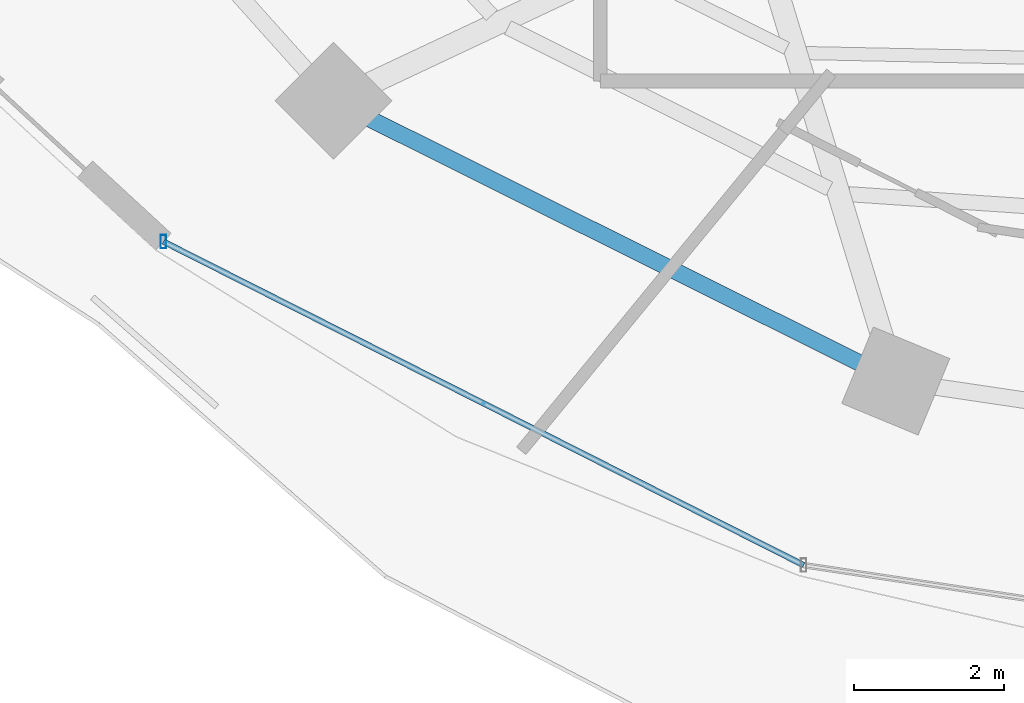
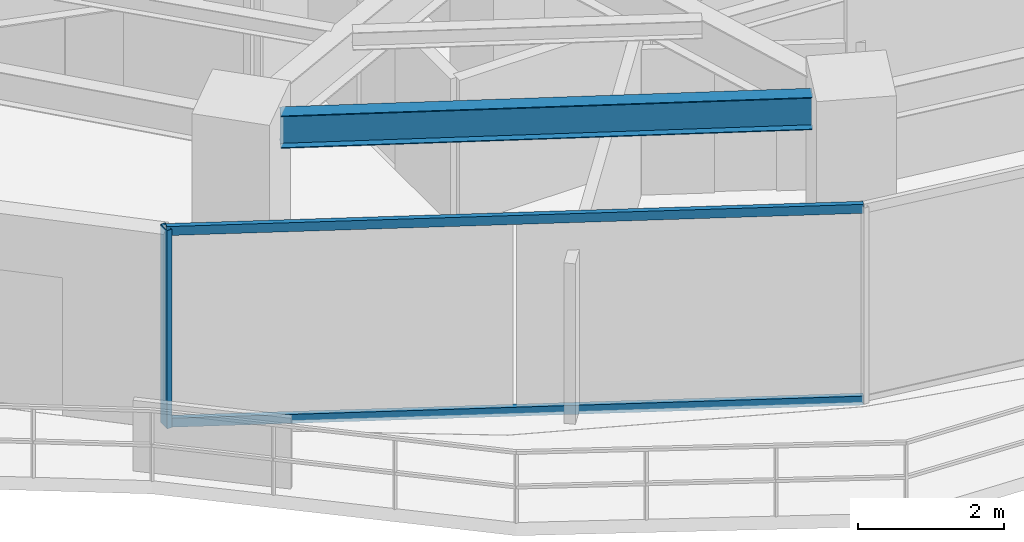
# One storey, part 2 of 29: 3 members, 1 beam, 1 element without a shape of its own.
"""IFC4 building model written with IfcOpenShell, lengths in metres."""

import ifcopenshell
import ifcopenshell.guid

model = None  # the IFC model being written
_history = None  # IfcOwnerHistory: only IFC2X3 demands one
_inside = {}  # id of a spatial element -> (the spatial element, [elements in it])
_under = {}  # id of a project, library or spatial element -> (it, [spatial elements below it])
_declared = {}  # id of a project -> (the project, [libraries it declares])
_typed = {}  # id of a type object -> (the type object, [elements of that type])
_made_of = {}  # id of a material, layer set ... -> (it, [elements and type objects made of it])


def new_model(schema):
    """Start an empty IFC model of exactly this schema.

    Asked for "IFC4X3", IfcOpenShell would pick the latest addendum, in which some entities
    have other attributes; the version numbers below select the first issue.
    IFC2X3 requires an IfcOwnerHistory on every rooted entity: one is made here for all.
    """
    global model, _history
    if schema == "IFC4X3":
        model = ifcopenshell.file(schema_version=(4, 3, 0, 0))
    else:
        model = ifcopenshell.file(schema=schema)
    _inside.clear()
    _under.clear()
    _declared.clear()
    _typed.clear()
    _made_of.clear()
    _history = None
    if model.schema == "IFC2X3":
        org = make("IfcOrganization", Name="unknown")
        user = make(
            "IfcPersonAndOrganization",
            ThePerson=make("IfcPerson", FamilyName="unknown"),
            TheOrganization=org,
        )
        app = make(
            "IfcApplication",
            ApplicationDeveloper=org,
            Version="unknown",
            ApplicationFullName="unknown",
            ApplicationIdentifier="unknown",
        )
        _history = make(
            "IfcOwnerHistory",
            OwningUser=user,
            OwningApplication=app,
            ChangeAction="ADDED",
            CreationDate=0,
        )
    return model


def make(cls, **values):
    """One entity of the class cls with the attributes given. An attribute that is None is left unset."""
    return model.create_entity(
        cls, **{name: value for name, value in values.items() if value is not None}
    )


def rooted(cls, **values):
    """An entity with a GlobalId (a new one), such as an element, a storey or a relation."""
    return make(cls, GlobalId=ifcopenshell.guid.new(), OwnerHistory=_history, **values)


def si_unit(unit_type, name, prefix=None):
    """IfcSIUnit, for example si_unit("LENGTHUNIT", "METRE", prefix="MILLI")."""
    return make("IfcSIUnit", UnitType=unit_type, Prefix=prefix, Name=name)


def assignment(units):
    """IfcUnitAssignment: the units of a project."""
    return None if units is None else make("IfcUnitAssignment", Units=units)


def point(xyz):
    """IfcCartesianPoint."""
    return None if xyz is None else make("IfcCartesianPoint", Coordinates=xyz)


def direction(xyz):
    """IfcDirection."""
    return None if xyz is None else make("IfcDirection", DirectionRatios=xyz)


def frame(location, z_axis=None, x_axis=None):
    """IfcAxis2Placement3D, a coordinate frame: its origin and axes. An axis left out is left unset."""
    return make(
        "IfcAxis2Placement3D",
        Location=point(location),
        Axis=direction(z_axis),
        RefDirection=direction(x_axis),
    )


def frame_2d(location, x_axis=None):
    """IfcAxis2Placement2D, a coordinate frame in the plane: its origin and x axis."""
    return make(
        "IfcAxis2Placement2D", Location=point(location), RefDirection=direction(x_axis)
    )


def origin():
    """The frame at (0, 0, 0) with its axes left unset."""
    return frame((0.0, 0.0, 0.0))


def origin_2d():
    """The frame at (0, 0) in the plane with its x axis left unset."""
    return frame_2d((0.0, 0.0))


def place(relative_to, where):
    """IfcLocalPlacement: puts the frame where relative to a parent placement (None: the world)."""
    return make(
        "IfcLocalPlacement", PlacementRelTo=relative_to, RelativePlacement=where
    )


def context(
    kind, dimensions, precision=None, world=None, true_north=None, identifier=None
):
    """IfcGeometricRepresentationContext, for example the 3D "Model" context."""
    return make(
        "IfcGeometricRepresentationContext",
        ContextIdentifier=identifier,
        ContextType=kind,
        CoordinateSpaceDimension=dimensions,
        Precision=precision,
        WorldCoordinateSystem=world,
        TrueNorth=true_north,
    )


def subcontext(parent, identifier, kind, view, scale=None):
    """IfcGeometricRepresentationSubContext, for example "Body" below "Model"."""
    return make(
        "IfcGeometricRepresentationSubContext",
        ContextIdentifier=identifier,
        ContextType=kind,
        ParentContext=parent,
        TargetScale=scale,
        TargetView=view,
    )


def project(units=None, contexts=None):
    """IfcProject with its units and contexts."""
    return rooted(
        "IfcProject",
        Name="project",
        RepresentationContexts=contexts,
        UnitsInContext=assignment(units),
    )


def spatial(cls, under=None, at=None, **own):
    """A site, building, storey or space (cls), placed at a placement, below another one or the project."""
    s = rooted(cls, ObjectPlacement=at, **own)
    if under is not None:
        _under.setdefault(under.id(), (under, []))[1].append(s)
    return s


def profile(cls, at=None, kind="AREA", **sizes):
    """A parametric profile (cls). Its sizes go by their IFC names, for example OverallWidth=200.0."""
    return make(cls, ProfileType=kind, Position=at, **sizes)


def hollow_rectangle(**sizes):
    """IfcRectangleHollowProfileDef."""
    return profile("IfcRectangleHollowProfileDef", **sizes)


def i_section(**sizes):
    """IfcIShapeProfileDef."""
    return profile("IfcIShapeProfileDef", **sizes)


def extrude(swept, where, along, depth):
    """IfcExtrudedAreaSolid: the profile swept, set in the frame where, extruded along a direction by depth."""
    return make(
        "IfcExtrudedAreaSolid",
        SweptArea=swept,
        Position=where,
        ExtrudedDirection=direction(along),
        Depth=depth,
    )


def shape(context_of_items, identifier, shape_type, items):
    """IfcShapeRepresentation: the items that make up one representation, for example the "Body"."""
    return make(
        "IfcShapeRepresentation",
        ContextOfItems=context_of_items,
        RepresentationIdentifier=identifier,
        RepresentationType=shape_type,
        Items=items,
    )


def material(Name=None, Category=None):
    """IfcMaterial."""
    return make("IfcMaterial", Name=Name, Category=Category)


def material_profile(
    of_material, cross_section, Name=None, Category=None, Priority=None
):
    """IfcMaterialProfile: a cross section and its material."""
    return make(
        "IfcMaterialProfile",
        Name=Name,
        Material=of_material,
        Profile=cross_section,
        Priority=Priority,
        Category=Category,
    )


def profile_set(profiles, Name=None, composite=None):
    """IfcMaterialProfileSet."""
    return make(
        "IfcMaterialProfileSet",
        Name=Name,
        MaterialProfiles=profiles,
        CompositeProfile=composite,
    )


def made_of(thing, what):
    """Note that an element or type object is made of a material, layer set ...; save() writes the relation."""
    if what is not None:
        _made_of.setdefault(what.id(), (what, []))[1].append(thing)
    return thing


def type_object(cls, material=None, **own):
    """A type object (cls), such as IfcWallType, which elements share."""
    return made_of(rooted(cls, **own), material)


def element(
    cls,
    number,
    at=None,
    inside=None,
    cuts=None,
    type_object=None,
    material=None,
    context=None,
    identifier="Body",
    shape_type=None,
    held_by="IfcProductDefinitionShape",
    body=None,
    shapes=None,
    **own,
):
    """One element of the class cls, such as IfcWall. Its Tag is "e" and its number.

    at: its placement. inside: the storey or other place that contains it. cuts: it is an
    opening in that element (IfcRelVoidsElement). A single representation is given by context,
    identifier, shape_type and body (its items); several are given by shapes. held_by: the class
    of the entity that holds the representations. save() writes the other relations.
    """
    e = rooted(cls, Tag="e%d" % number, ObjectPlacement=at, **own)
    if body is not None:
        shapes = [shape(context, identifier, shape_type, body)]
    if shapes is not None:
        e.Representation = make(held_by, Representations=shapes)
    if inside is not None:
        _inside.setdefault(inside.id(), (inside, []))[1].append(e)
    if cuts is not None:
        rooted(
            "IfcRelVoidsElement", RelatingBuildingElement=cuts, RelatedOpeningElement=e
        )
    if type_object is not None:
        _typed.setdefault(type_object.id(), (type_object, []))[1].append(e)
    return made_of(e, material)


def aggregate(whole, parts):
    """IfcRelAggregates: a whole, such as a stair, and the parts it consists of."""
    return rooted("IfcRelAggregates", RelatingObject=whole, RelatedObjects=parts)


def save(model, path):
    """Write the relations noted so far, then the file.

    IfcRelAggregates (storeys below a building ...), IfcRelContainedInSpatialStructure (elements
    in a storey), IfcRelDefinesByType, IfcRelAssociatesMaterial and IfcRelDeclares: one each for
    every whole, place, type object, material and project.
    """
    for whole, parts in _under.values():
        aggregate(whole, parts)
    for where, things in _inside.values():
        rooted(
            "IfcRelContainedInSpatialStructure",
            RelatedElements=things,
            RelatingStructure=where,
        )
    for kind, things in _typed.values():
        rooted("IfcRelDefinesByType", RelatedObjects=things, RelatingType=kind)
    for what, things in _made_of.values():
        rooted("IfcRelAssociatesMaterial", RelatedObjects=things, RelatingMaterial=what)
    for by, libraries in _declared.values():
        rooted("IfcRelDeclares", RelatingContext=by, RelatedDefinitions=libraries)
    model.write(path)


model = new_model("IFC4")

# Units and contexts
model_context = context("Model", 3, precision=1e-05, world=origin(), true_north=direction((0.0, 1.0)))
body_context = subcontext(model_context, "Body", "Model", "MODEL_VIEW")
ifc_project = project(units=[si_unit("LENGTHUNIT", "METRE"), si_unit("AREAUNIT", "SQUARE_METRE"), si_unit("VOLUMEUNIT", "CUBIC_METRE"), si_unit("PLANEANGLEUNIT", "RADIAN"), si_unit("MASSUNIT", "GRAM", prefix="KILO")], contexts=[model_context])

# Site, building, storey
site_placement = place(None, origin())
site = spatial("IfcSite", under=ifc_project, at=site_placement, CompositionType="ELEMENT")
building_placement = place(site_placement, origin())
building = spatial("IfcBuilding", under=site, at=building_placement, Name="Vorneva Point Tower", CompositionType="ELEMENT")
storey_placement = place(building_placement, frame((0.0, 0.0, 117.300048828125)))
storey = spatial("IfcBuildingStorey", under=building, at=storey_placement, Name="L31", CompositionType="ELEMENT", Elevation=117.300048828125)

# Beam
ifc_material_1 = material(Name="Steel S355", Category="steel")
ifc_material_profile_1 = material_profile(ifc_material_1, i_section(OverallWidth=0.219970703125, OverallDepth=0.54296875, WebThickness=0.009521484375, FlangeThickness=0.013427734375, at=origin_2d()), Name="55B1")
ifc_profile_set_1 = profile_set([ifc_material_profile_1], Name="Steel S355")
beam_type = type_object("IfcBeamType", Name="BM-SPN-55B1", PredefinedType="SPANDREL", material=ifc_profile_set_1)
beam_placement = place(storey_placement, frame((22.179931640625, 13.59912109375, 2.968505859375), z_axis=(0.894915882304, -0.446234874926, 0.0), x_axis=(0.446234874926, 0.894915882304, 0.0)))
element("IfcBeam", 1, at=beam_placement, inside=storey, type_object=beam_type, Name="L31 Perimeter Spandrel Ring Beam 11", PredefinedType="SPANDREL", context=body_context, shape_type="SweptSolid", body=[
    extrude(i_section(OverallWidth=0.219970703125, OverallDepth=0.54296875, WebThickness=0.009521484375, FlangeThickness=0.013427734375, at=origin_2d()), origin(), (0.0, 0.0, 1.0), 7.285888671875),
])

# Curtain wall, members
ifc_material_2 = material(Name="Pale anodised aluminium", Category="aluminium")
curtain_wall_type = type_object("IfcCurtainWallType", Name="CW-HTL-SYS", PredefinedType="NOTDEFINED", material=ifc_material_2)
curtain_wall_placement = place(storey_placement, origin())
curtain_wall = element("IfcCurtainWall", 2, at=curtain_wall_placement, inside=storey, type_object=curtain_wall_type, Name="L31 Unitised Curtain Wall CW-L31-R03", PredefinedType="NOTDEFINED")
ifc_material_profile_2 = material_profile(ifc_material_2, hollow_rectangle(XDim=0.074951171875, YDim=0.179931640625, WallThickness=0.00390625, at=origin_2d()), Name="AL-MUL 180x75x4")
ifc_profile_set_2 = profile_set([ifc_material_profile_2], Name="Pale anodised aluminium")
member_type_1 = type_object("IfcMemberType", Name="CW-MUL-180", PredefinedType="MULLION", material=ifc_profile_set_2)
member_1_placement = place(storey_placement, frame((19.4384765625, 11.9638671875, -0.0400390625), z_axis=(0.0, 0.0, 1.0), x_axis=(1.0, 0.0, 0.0)))
member_1 = element("IfcMember", 3, at=member_1_placement, type_object=member_type_1, Name="CW-L31-R03 Mullion 01", PredefinedType="MULLION", context=body_context, shape_type="SweptSolid", body=[
    extrude(hollow_rectangle(XDim=0.074951171875, YDim=0.179931640625, WallThickness=0.00390625, at=origin_2d()), origin(), (0.0, 0.0, 1.0), 3.31005859375),
])
ifc_material_profile_3 = material_profile(ifc_material_2, hollow_rectangle(XDim=0.074951171875, YDim=0.14990234375, WallThickness=0.00390625, at=origin_2d()), Name="AL-TRN 150x75x4")
ifc_profile_set_3 = profile_set([ifc_material_profile_3], Name="Pale anodised aluminium")
member_type_2 = type_object("IfcMemberType", Name="CW-TRN-150", PredefinedType="USERDEFINED", material=ifc_profile_set_3)
member_2_placement = place(storey_placement, frame((19.4384765625, 11.9638671875, 0.02001953125), z_axis=(0.892536035732, -0.450976080207, 0.0), x_axis=(0.450976080207, 0.892536035732, 0.0)))
member_2 = element("IfcMember", 4, at=member_2_placement, type_object=member_type_2, Name="CW-L31-R03 Transom 01.1", ObjectType="TRANSOM", PredefinedType="USERDEFINED", context=body_context, shape_type="SweptSolid", body=[
    extrude(hollow_rectangle(XDim=0.074951171875, YDim=0.14990234375, WallThickness=0.00390625, at=origin_2d()), origin(), (0.0, 0.0, 1.0), 9.54150390625),
])
member_3_placement = place(storey_placement, frame((19.4384765625, 11.9638671875, 3.219970703125), z_axis=(0.892536035732, -0.450976080207, 0.0), x_axis=(0.450976080207, 0.892536035732, 0.0)))
member_3 = element("IfcMember", 5, at=member_3_placement, type_object=member_type_2, Name="CW-L31-R03 Transom 01.2", ObjectType="TRANSOM", PredefinedType="USERDEFINED", context=body_context, shape_type="SweptSolid", body=[
    extrude(hollow_rectangle(XDim=0.074951171875, YDim=0.14990234375, WallThickness=0.00390625, at=origin_2d()), origin(), (0.0, 0.0, 1.0), 9.54150390625),
])
aggregate(curtain_wall, [member_1, member_2, member_3])

save(model, "model.ifc")
